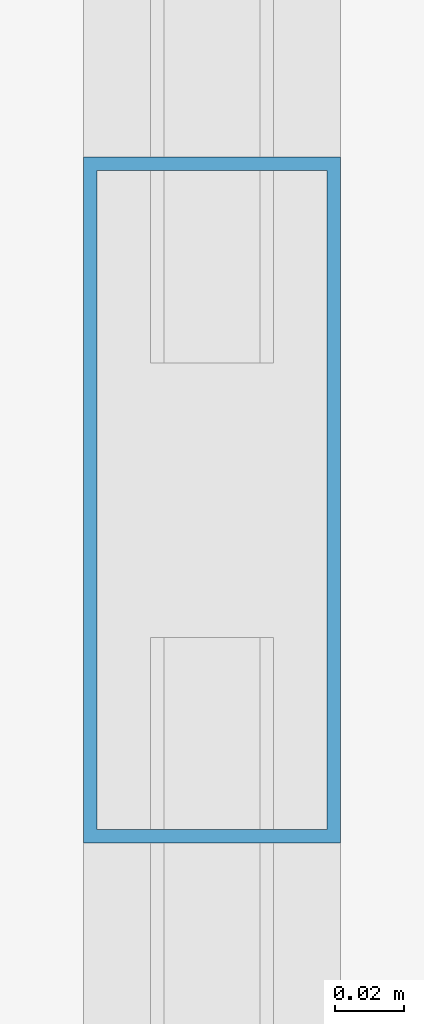
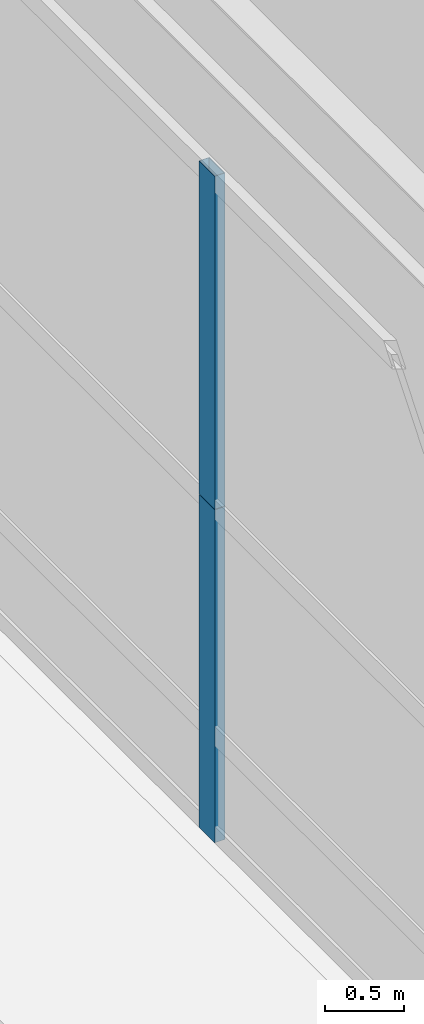
# One storey, part 8 of 32: 2 members, 1 element without a shape of its own.
"""IFC4 building model written with IfcOpenShell, lengths in metres."""

from ifc_helpers import new_model, si_unit, direction, frame, origin, origin_2d, place, context, subcontext, project, spatial, hollow_rectangle, extrude, source, transform, mapped, material, layer, layer_set, material_profile, profile_set, type_object, element, aggregate, save


model = new_model("IFC4")

# Units and contexts
model_context = context("Model", 3, precision=1e-05, world=origin(), true_north=direction((0.0, 1.0)))
body_context = subcontext(model_context, "Body", "Model", "MODEL_VIEW")
ifc_project = project(units=[si_unit("LENGTHUNIT", "METRE"), si_unit("AREAUNIT", "SQUARE_METRE"), si_unit("VOLUMEUNIT", "CUBIC_METRE"), si_unit("PLANEANGLEUNIT", "RADIAN"), si_unit("MASSUNIT", "GRAM", prefix="KILO"), si_unit("THERMODYNAMICTEMPERATUREUNIT", "KELVIN"), si_unit("POWERUNIT", "WATT")], contexts=[model_context])

# Site, building, storey
site_placement = place(None, origin())
site = spatial("IfcSite", under=ifc_project, at=site_placement, CompositionType="ELEMENT")
building_placement = place(site_placement, origin())
building = spatial("IfcBuilding", under=site, at=building_placement, Name="Yuzanri Waterfront Tower", CompositionType="ELEMENT")
storey_placement = place(building_placement, origin())
storey = spatial("IfcBuildingStorey", under=building, at=storey_placement, Name="L01", CompositionType="ELEMENT", Elevation=0.0)

# Curtain wall, members
ifc_material_1 = material(Name="Anodized Architectural Bronze", Category="metal")
ifc_layer = layer(ifc_material_1, 0.159912109375)
ifc_layer_set = layer_set([ifc_layer], Name="Anodized Architectural Bronze")
curtain_wall_type = type_object("IfcCurtainWallType", Name="Anodized Bronze Podium Waterfront Double-Height Unitized Curtain Wall 8400", PredefinedType="NOTDEFINED", material=ifc_layer_set)
curtain_wall_placement = place(storey_placement, origin())
curtain_wall = element("IfcCurtainWall", 1, at=curtain_wall_placement, inside=storey, type_object=curtain_wall_type, Name="L01 Curtain Wall CW-L01-W", PredefinedType="NOTDEFINED")
ifc_material_2 = material(Name="Anodized Architectural Bronze", Category="metal")
ifc_material_profile = material_profile(ifc_material_2, hollow_rectangle(XDim=0.074951171875, YDim=0.199951171875, WallThickness=0.00390625, at=origin_2d()), Name="CWM 75x200")
ifc_profile_set = profile_set([ifc_material_profile], Name="Anodized Architectural Bronze")
member_type = type_object("IfcMemberType", Name="Anodized Bronze Primary Curtain-Wall Mullion 75x200", PredefinedType="MULLION", material=ifc_profile_set)
shared_shape = source(origin(), body_context, "Body", "SweptSolid", [
    extrude(hollow_rectangle(XDim=0.074951171875, YDim=0.199951171875, WallThickness=0.00390625, at=origin_2d()), origin(), (0.0, 0.0, 1.0), 2.55810546875),
])
member_1_placement = place(storey_placement, frame((2.179931640625, 25.800048828125, 0.0), z_axis=(0.0, 0.0, 1.0), x_axis=(1.0, 0.0, 0.0)))
member_1 = element("IfcMember", 2, at=member_1_placement, type_object=member_type, Name="CW-L01-W Lower Mullion 01", PredefinedType="MULLION", context=body_context, shape_type="MappedRepresentation", body=[
    mapped(shared_shape, transform((0.0, 0.0, 0.0), scale=1.0)),
])
member_2_placement = place(storey_placement, frame((2.179931640625, 25.800048828125, 2.56201171875), z_axis=(0.0, 0.0, 1.0), x_axis=(1.0, 0.0, 0.0)))
member_2 = element("IfcMember", 3, at=member_2_placement, type_object=member_type, Name="CW-L01-W Upper Mullion 01", PredefinedType="MULLION", context=body_context, shape_type="MappedRepresentation", body=[
    mapped(shared_shape, transform((0.0, 0.0, 0.0), scale=1.0)),
])
aggregate(curtain_wall, [member_1, member_2])

save(model, "model.ifc")
